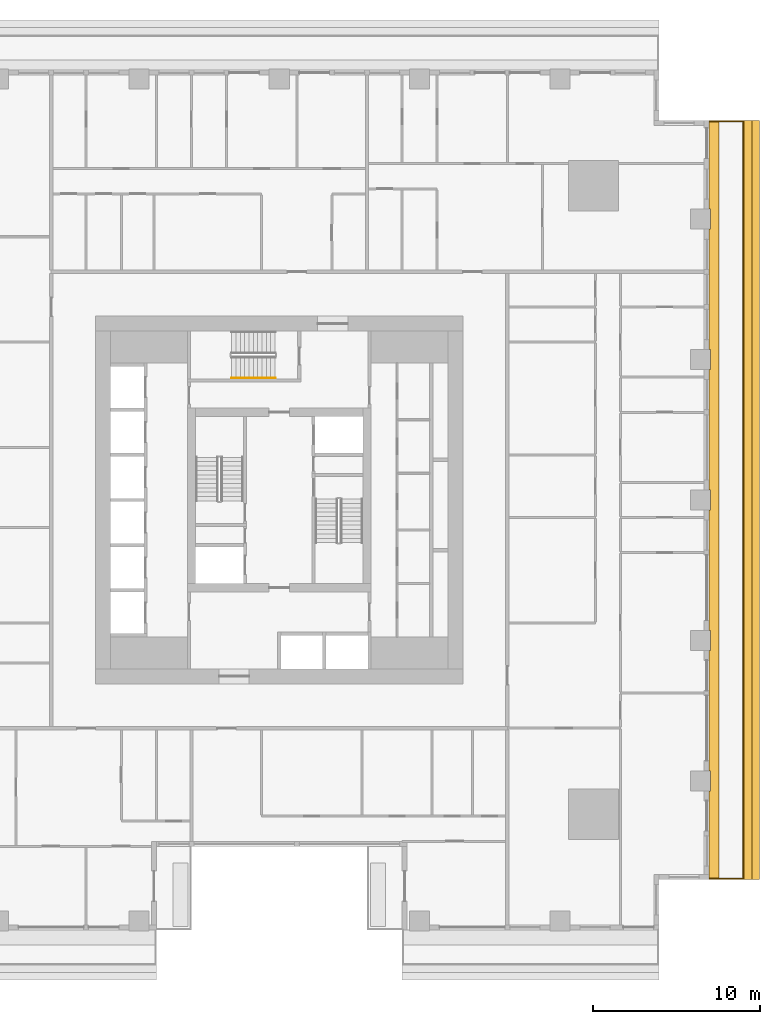
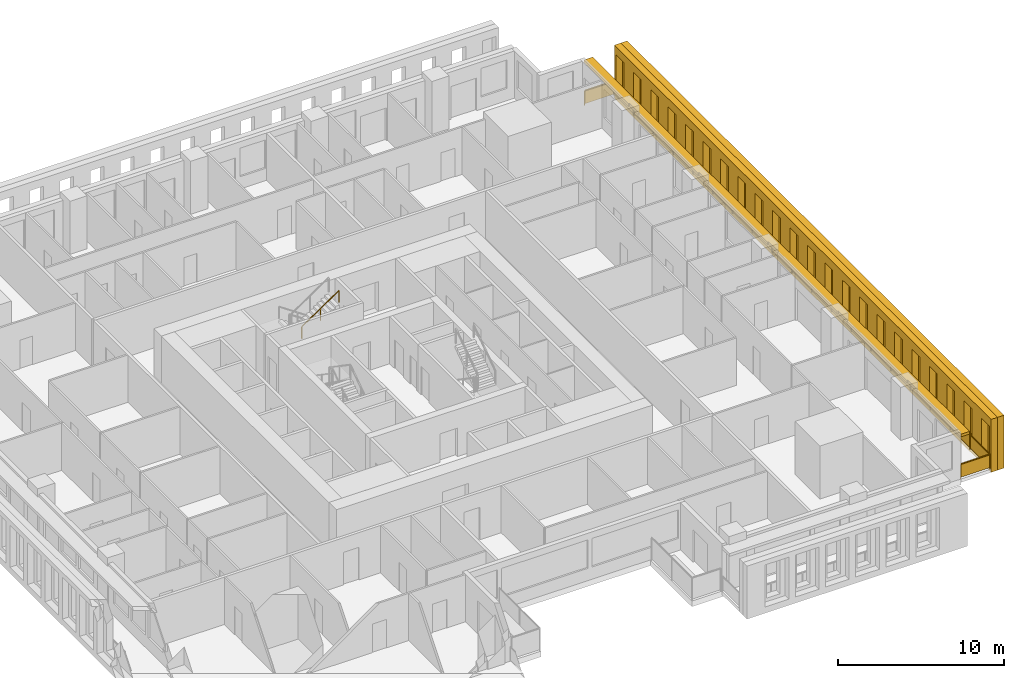
# One storey, part 13 of 15: 3 shading devices, 2 railings.
"""IFC4 building model written with IfcOpenShell, lengths in metres."""

from ifc_helpers import new_model, si_unit, direction, frame, origin, origin_2d, place, context, subcontext, project, spatial, polyline, rectangle, outline, extrude, material, layer, layer_set, type_object, element, save


model = new_model("IFC4")

# Units and contexts
model_context = context("Model", 3, precision=1e-05, world=origin(), true_north=direction((0.0, 1.0)))
body_context = subcontext(model_context, "Body", "Model", "MODEL_VIEW")
ifc_project = project(units=[si_unit("LENGTHUNIT", "METRE"), si_unit("AREAUNIT", "SQUARE_METRE"), si_unit("VOLUMEUNIT", "CUBIC_METRE"), si_unit("PLANEANGLEUNIT", "RADIAN"), si_unit("MASSUNIT", "GRAM", prefix="KILO")], contexts=[model_context])

# Site, building, storey
site_placement = place(None, origin())
site = spatial("IfcSite", under=ifc_project, at=site_placement, CompositionType="ELEMENT")
building_placement = place(site_placement, origin())
building = spatial("IfcBuilding", under=site, at=building_placement, Name="Khepri Terraces", CompositionType="ELEMENT")
storey_placement = place(building_placement, frame((0.0, 0.0, 42.60009765625)))
storey = spatial("IfcBuildingStorey", under=building, at=storey_placement, Name="L09", CompositionType="ELEMENT", Elevation=42.60009765625)

# Railings
ifc_material_1 = material(Name="Stainless steel grade 316", Category="steel")
railing_type_1 = type_object("IfcRailingType", Name="GRD-BAL-1100", PredefinedType="GUARDRAIL", material=ifc_material_1)
railing_1_placement = place(storey_placement, frame((25.719970703125, -22.669921875, 0.0)))
element("IfcRailing", 1, at=railing_1_placement, inside=storey, type_object=railing_type_1, Name="Balcony guard L09 E", PredefinedType="GUARDRAIL", context=body_context, shape_type="SweptSolid", body=[
    extrude(rectangle(XDim=0.050048828125, YDim=0.06005859375, at=origin_2d()), frame((0.0, 0.0, 1.070068359375), z_axis=(1.0, 0.0, 0.0), x_axis=(0.0, 1.0, 0.0)), (0.0, 0.0, 1.0), 2.050048828125),
    extrude(rectangle(XDim=2.0, YDim=0.011962890625, at=origin_2d()), frame((1.02490234375, 0.0, 0.10009765625), z_axis=(0.0, 0.0, 1.0), x_axis=(1.0, 0.0, 0.0)), (0.0, 0.0, 1.0), 0.93994140625),
    extrude(rectangle(XDim=0.050048828125, YDim=0.06005859375, at=origin_2d()), frame((2.050048828125, 0.0, 1.070068359375), z_axis=(0.0, 1.0, 0.0), x_axis=(-1.0, 0.0, 0.0)), (0.0, 0.0, 1.0), 45.33984375),
    extrude(rectangle(XDim=2.336181640625, YDim=0.011962890625, at=origin_2d()), frame((2.050048828125, 1.193115234375, 0.10009765625), z_axis=(0.0, 0.0, 1.0), x_axis=(0.0, 1.0, 0.0)), (0.0, 0.0, 1.0), 0.93994140625),
    extrude(rectangle(XDim=2.336181640625, YDim=0.011962890625, at=origin_2d()), frame((2.050048828125, 3.579345703125, 0.10009765625), z_axis=(0.0, 0.0, 1.0), x_axis=(0.0, 1.0, 0.0)), (0.0, 0.0, 1.0), 0.93994140625),
    extrude(rectangle(XDim=2.336181640625, YDim=0.011962890625, at=origin_2d()), frame((2.050048828125, 5.9658203125, 0.10009765625), z_axis=(0.0, 0.0, 1.0), x_axis=(0.0, 1.0, 0.0)), (0.0, 0.0, 1.0), 0.93994140625),
    extrude(rectangle(XDim=2.336181640625, YDim=0.011962890625, at=origin_2d()), frame((2.050048828125, 8.35205078125, 0.10009765625), z_axis=(0.0, 0.0, 1.0), x_axis=(0.0, 1.0, 0.0)), (0.0, 0.0, 1.0), 0.93994140625),
    extrude(rectangle(XDim=2.336181640625, YDim=0.011962890625, at=origin_2d()), frame((2.050048828125, 10.73828125, 0.10009765625), z_axis=(0.0, 0.0, 1.0), x_axis=(0.0, 1.0, 0.0)), (0.0, 0.0, 1.0), 0.93994140625),
    extrude(rectangle(XDim=2.336181640625, YDim=0.011962890625, at=origin_2d()), frame((2.050048828125, 13.124755859375, 0.10009765625), z_axis=(0.0, 0.0, 1.0), x_axis=(0.0, 1.0, 0.0)), (0.0, 0.0, 1.0), 0.93994140625),
    extrude(rectangle(XDim=2.336181640625, YDim=0.011962890625, at=origin_2d()), frame((2.050048828125, 15.510986328125, 0.10009765625), z_axis=(0.0, 0.0, 1.0), x_axis=(0.0, 1.0, 0.0)), (0.0, 0.0, 1.0), 0.93994140625),
    extrude(rectangle(XDim=2.336181640625, YDim=0.011962890625, at=origin_2d()), frame((2.050048828125, 17.897216796875, 0.10009765625), z_axis=(0.0, 0.0, 1.0), x_axis=(0.0, 1.0, 0.0)), (0.0, 0.0, 1.0), 0.93994140625),
    extrude(rectangle(XDim=2.336181640625, YDim=0.011962890625, at=origin_2d()), frame((2.050048828125, 20.28369140625, 0.10009765625), z_axis=(0.0, 0.0, 1.0), x_axis=(0.0, 1.0, 0.0)), (0.0, 0.0, 1.0), 0.93994140625),
    extrude(rectangle(XDim=2.336181640625, YDim=0.011962890625, at=origin_2d()), frame((2.050048828125, 22.669921875, 0.10009765625), z_axis=(0.0, 0.0, 1.0), x_axis=(0.0, 1.0, 0.0)), (0.0, 0.0, 1.0), 0.93994140625),
    extrude(rectangle(XDim=2.336181640625, YDim=0.011962890625, at=origin_2d()), frame((2.050048828125, 25.05615234375, 0.10009765625), z_axis=(0.0, 0.0, 1.0), x_axis=(0.0, 1.0, 0.0)), (0.0, 0.0, 1.0), 0.93994140625),
    extrude(rectangle(XDim=2.336181640625, YDim=0.011962890625, at=origin_2d()), frame((2.050048828125, 27.442626953125, 0.10009765625), z_axis=(0.0, 0.0, 1.0), x_axis=(0.0, 1.0, 0.0)), (0.0, 0.0, 1.0), 0.93994140625),
    extrude(rectangle(XDim=2.336181640625, YDim=0.011962890625, at=origin_2d()), frame((2.050048828125, 29.828857421875, 0.10009765625), z_axis=(0.0, 0.0, 1.0), x_axis=(0.0, 1.0, 0.0)), (0.0, 0.0, 1.0), 0.93994140625),
    extrude(rectangle(XDim=2.336181640625, YDim=0.011962890625, at=origin_2d()), frame((2.050048828125, 32.215087890625, 0.10009765625), z_axis=(0.0, 0.0, 1.0), x_axis=(0.0, 1.0, 0.0)), (0.0, 0.0, 1.0), 0.93994140625),
    extrude(rectangle(XDim=2.336181640625, YDim=0.011962890625, at=origin_2d()), frame((2.050048828125, 34.6015625, 0.10009765625), z_axis=(0.0, 0.0, 1.0), x_axis=(0.0, 1.0, 0.0)), (0.0, 0.0, 1.0), 0.93994140625),
    extrude(rectangle(XDim=2.336181640625, YDim=0.011962890625, at=origin_2d()), frame((2.050048828125, 36.98779296875, 0.10009765625), z_axis=(0.0, 0.0, 1.0), x_axis=(0.0, 1.0, 0.0)), (0.0, 0.0, 1.0), 0.93994140625),
    extrude(rectangle(XDim=2.336181640625, YDim=0.011962890625, at=origin_2d()), frame((2.050048828125, 39.3740234375, 0.10009765625), z_axis=(0.0, 0.0, 1.0), x_axis=(0.0, 1.0, 0.0)), (0.0, 0.0, 1.0), 0.93994140625),
    extrude(rectangle(XDim=2.336181640625, YDim=0.011962890625, at=origin_2d()), frame((2.050048828125, 41.760498046875, 0.10009765625), z_axis=(0.0, 0.0, 1.0), x_axis=(0.0, 1.0, 0.0)), (0.0, 0.0, 1.0), 0.93994140625),
    extrude(rectangle(XDim=2.336181640625, YDim=0.011962890625, at=origin_2d()), frame((2.050048828125, 44.146728515625, 0.10009765625), z_axis=(0.0, 0.0, 1.0), x_axis=(0.0, 1.0, 0.0)), (0.0, 0.0, 1.0), 0.93994140625),
    extrude(rectangle(XDim=0.050048828125, YDim=0.06005859375, at=origin_2d()), frame((2.050048828125, 45.33984375, 1.070068359375), z_axis=(-1.0, 0.0, 0.0), x_axis=(0.0, -1.0, 0.0)), (0.0, 0.0, 1.0), 2.050048828125),
    extrude(rectangle(XDim=2.0, YDim=0.011962890625, at=origin_2d()), frame((1.02490234375, 45.33984375, 0.10009765625), z_axis=(0.0, 0.0, 1.0), x_axis=(-1.0, 0.0, 0.0)), (0.0, 0.0, 1.0), 0.93994140625),
    extrude(rectangle(XDim=0.050048828125, YDim=0.050048828125, at=origin_2d()), origin(), (0.0, 0.0, 1.0), 1.0400390625),
    extrude(rectangle(XDim=0.050048828125, YDim=0.050048828125, at=origin_2d()), frame((2.050048828125, 0.0, 0.0)), (0.0, 0.0, 1.0), 1.0400390625),
    extrude(rectangle(XDim=0.050048828125, YDim=0.050048828125, at=origin_2d()), frame((2.050048828125, 2.38623046875, 0.0)), (0.0, 0.0, 1.0), 1.0400390625),
    extrude(rectangle(XDim=0.050048828125, YDim=0.050048828125, at=origin_2d()), frame((2.050048828125, 4.772705078125, 0.0)), (0.0, 0.0, 1.0), 1.0400390625),
    extrude(rectangle(XDim=0.050048828125, YDim=0.050048828125, at=origin_2d()), frame((2.050048828125, 7.158935546875, 0.0)), (0.0, 0.0, 1.0), 1.0400390625),
    extrude(rectangle(XDim=0.050048828125, YDim=0.050048828125, at=origin_2d()), frame((2.050048828125, 9.545166015625, 0.0)), (0.0, 0.0, 1.0), 1.0400390625),
    extrude(rectangle(XDim=0.050048828125, YDim=0.050048828125, at=origin_2d()), frame((2.050048828125, 11.931640625, 0.0)), (0.0, 0.0, 1.0), 1.0400390625),
    extrude(rectangle(XDim=0.050048828125, YDim=0.050048828125, at=origin_2d()), frame((2.050048828125, 14.31787109375, 0.0)), (0.0, 0.0, 1.0), 1.0400390625),
    extrude(rectangle(XDim=0.050048828125, YDim=0.050048828125, at=origin_2d()), frame((2.050048828125, 16.7041015625, 0.0)), (0.0, 0.0, 1.0), 1.0400390625),
    extrude(rectangle(XDim=0.050048828125, YDim=0.050048828125, at=origin_2d()), frame((2.050048828125, 19.090576171875, 0.0)), (0.0, 0.0, 1.0), 1.0400390625),
    extrude(rectangle(XDim=0.050048828125, YDim=0.050048828125, at=origin_2d()), frame((2.050048828125, 21.476806640625, 0.0)), (0.0, 0.0, 1.0), 1.0400390625),
    extrude(rectangle(XDim=0.050048828125, YDim=0.050048828125, at=origin_2d()), frame((2.050048828125, 23.863037109375, 0.0)), (0.0, 0.0, 1.0), 1.0400390625),
    extrude(rectangle(XDim=0.050048828125, YDim=0.050048828125, at=origin_2d()), frame((2.050048828125, 26.249267578125, 0.0)), (0.0, 0.0, 1.0), 1.0400390625),
    extrude(rectangle(XDim=0.050048828125, YDim=0.050048828125, at=origin_2d()), frame((2.050048828125, 28.6357421875, 0.0)), (0.0, 0.0, 1.0), 1.0400390625),
    extrude(rectangle(XDim=0.050048828125, YDim=0.050048828125, at=origin_2d()), frame((2.050048828125, 31.02197265625, 0.0)), (0.0, 0.0, 1.0), 1.0400390625),
    extrude(rectangle(XDim=0.050048828125, YDim=0.050048828125, at=origin_2d()), frame((2.050048828125, 33.408203125, 0.0)), (0.0, 0.0, 1.0), 1.0400390625),
    extrude(rectangle(XDim=0.050048828125, YDim=0.050048828125, at=origin_2d()), frame((2.050048828125, 35.794677734375, 0.0)), (0.0, 0.0, 1.0), 1.0400390625),
    extrude(rectangle(XDim=0.050048828125, YDim=0.050048828125, at=origin_2d()), frame((2.050048828125, 38.180908203125, 0.0)), (0.0, 0.0, 1.0), 1.0400390625),
    extrude(rectangle(XDim=0.050048828125, YDim=0.050048828125, at=origin_2d()), frame((2.050048828125, 40.567138671875, 0.0)), (0.0, 0.0, 1.0), 1.0400390625),
    extrude(rectangle(XDim=0.050048828125, YDim=0.050048828125, at=origin_2d()), frame((2.050048828125, 42.95361328125, 0.0)), (0.0, 0.0, 1.0), 1.0400390625),
    extrude(rectangle(XDim=0.050048828125, YDim=0.050048828125, at=origin_2d()), frame((2.050048828125, 45.33984375, 0.0)), (0.0, 0.0, 1.0), 1.0400390625),
    extrude(rectangle(XDim=0.050048828125, YDim=0.050048828125, at=origin_2d()), frame((0.0, 45.33984375, 0.0)), (0.0, 0.0, 1.0), 1.0400390625),
])
ifc_material_2 = material(Name="Stainless steel 316", Category="steel")
railing_type_2 = type_object("IfcRailingType", Name="RL-CORE-HANDRAIL", PredefinedType="HANDRAIL", material=ifc_material_2)
railing_2_placement = place(storey_placement, frame((-2.85009765625, 7.300048828125, 2.127197265625)))
element("IfcRailing", 2, at=railing_2_placement, inside=storey, type_object=railing_type_2, Name="L09 ST-3 stair handrail 2", PredefinedType="HANDRAIL", context=body_context, shape_type="SweptSolid", body=[
    extrude(rectangle(XDim=0.050048828125, YDim=0.050048828125, at=origin_2d()), frame((0.0, 0.0, 0.875), z_axis=(0.826240473404, 0.0, 0.563317565952), x_axis=(0.0, 1.0, 0.0)), (0.0, 0.0, 1.0), 3.14697265625),
    extrude(rectangle(XDim=0.050048828125, YDim=0.050048828125, at=origin_2d()), origin(), (0.0, 0.0, 1.0), 0.849853515625),
    extrude(rectangle(XDim=0.050048828125, YDim=0.050048828125, at=origin_2d()), frame((1.300048828125, 0.0, 0.88623046875)), (0.0, 0.0, 1.0), 0.849853515625),
    extrude(rectangle(XDim=0.050048828125, YDim=0.050048828125, at=origin_2d()), frame((2.60009765625, 0.0, 1.772705078125)), (0.0, 0.0, 1.0), 0.849853515625),
])

# Shading devices
ifc_material_3 = material(Name="Precast concrete C50/60 warm stone", Category="masonry")
shading_device_type_1 = type_object("IfcShadingDeviceType", Name="SCR-CELL-INNER-450", PredefinedType="USERDEFINED", material=ifc_material_3)
shading_device_1_placement = place(storey_placement, frame((27.820068359375, -22.719970703125, -0.25), z_axis=(1.0, 0.0, 0.0), x_axis=(0.0, 1.0, 0.0)))
element("IfcShadingDevice", 3, at=shading_device_1_placement, inside=storey, type_object=shading_device_type_1, Name="Cell screen L09 E in", ObjectType="SCREEN", PredefinedType="USERDEFINED", context=body_context, shape_type="SweptSolid", body=[
    extrude(outline(polyline([(0.0, 0.0), (45.43994140625, 0.0), (45.43994140625, 3.89990234375), (0.0, 3.89990234375), (0.0, 0.0)]), holes=[polyline([(0.197509765625, 0.699951171875), (1.142578125, 0.699951171875), (1.142578125, 3.300048828125), (0.197509765625, 3.300048828125), (0.197509765625, 0.699951171875)]), polyline([(2.297607421875, 0.699951171875), (3.242431640625, 0.699951171875), (3.242431640625, 3.300048828125), (2.297607421875, 3.300048828125), (2.297607421875, 0.699951171875)]), polyline([(4.3974609375, 0.699951171875), (5.342529296875, 0.699951171875), (5.342529296875, 3.300048828125), (4.3974609375, 3.300048828125), (4.3974609375, 0.699951171875)]), polyline([(6.49755859375, 0.699951171875), (7.4423828125, 0.699951171875), (7.4423828125, 3.300048828125), (6.49755859375, 3.300048828125), (6.49755859375, 0.699951171875)]), polyline([(8.597412109375, 0.699951171875), (9.54248046875, 0.699951171875), (9.54248046875, 3.300048828125), (8.597412109375, 3.300048828125), (8.597412109375, 0.699951171875)]), polyline([(10.697509765625, 0.699951171875), (11.642578125, 0.699951171875), (11.642578125, 3.300048828125), (10.697509765625, 3.300048828125), (10.697509765625, 0.699951171875)]), polyline([(12.797607421875, 0.699951171875), (13.742431640625, 0.699951171875), (13.742431640625, 3.300048828125), (12.797607421875, 3.300048828125), (12.797607421875, 0.699951171875)]), polyline([(14.8974609375, 0.699951171875), (15.842529296875, 0.699951171875), (15.842529296875, 3.300048828125), (14.8974609375, 3.300048828125), (14.8974609375, 0.699951171875)]), polyline([(16.99755859375, 0.699951171875), (17.9423828125, 0.699951171875), (17.9423828125, 3.300048828125), (16.99755859375, 3.300048828125), (16.99755859375, 0.699951171875)]), polyline([(19.097412109375, 0.699951171875), (20.04248046875, 0.699951171875), (20.04248046875, 3.300048828125), (19.097412109375, 3.300048828125), (19.097412109375, 0.699951171875)]), polyline([(21.197509765625, 0.699951171875), (22.142578125, 0.699951171875), (22.142578125, 3.300048828125), (21.197509765625, 3.300048828125), (21.197509765625, 0.699951171875)]), polyline([(23.297607421875, 0.699951171875), (24.242431640625, 0.699951171875), (24.242431640625, 3.300048828125), (23.297607421875, 3.300048828125), (23.297607421875, 0.699951171875)]), polyline([(25.3974609375, 0.699951171875), (26.342529296875, 0.699951171875), (26.342529296875, 3.300048828125), (25.3974609375, 3.300048828125), (25.3974609375, 0.699951171875)]), polyline([(27.49755859375, 0.699951171875), (28.4423828125, 0.699951171875), (28.4423828125, 3.300048828125), (27.49755859375, 3.300048828125), (27.49755859375, 0.699951171875)]), polyline([(29.597412109375, 0.699951171875), (30.54248046875, 0.699951171875), (30.54248046875, 3.300048828125), (29.597412109375, 3.300048828125), (29.597412109375, 0.699951171875)]), polyline([(31.697509765625, 0.699951171875), (32.642578125, 0.699951171875), (32.642578125, 3.300048828125), (31.697509765625, 3.300048828125), (31.697509765625, 0.699951171875)]), polyline([(33.797607421875, 0.699951171875), (34.742431640625, 0.699951171875), (34.742431640625, 3.300048828125), (33.797607421875, 3.300048828125), (33.797607421875, 0.699951171875)]), polyline([(35.8974609375, 0.699951171875), (36.842529296875, 0.699951171875), (36.842529296875, 3.300048828125), (35.8974609375, 3.300048828125), (35.8974609375, 0.699951171875)]), polyline([(37.99755859375, 0.699951171875), (38.9423828125, 0.699951171875), (38.9423828125, 3.300048828125), (37.99755859375, 3.300048828125), (37.99755859375, 0.699951171875)]), polyline([(40.097412109375, 0.699951171875), (41.04248046875, 0.699951171875), (41.04248046875, 3.300048828125), (40.097412109375, 3.300048828125), (40.097412109375, 0.699951171875)]), polyline([(42.197509765625, 0.699951171875), (43.142578125, 0.699951171875), (43.142578125, 3.300048828125), (42.197509765625, 3.300048828125), (42.197509765625, 0.699951171875)]), polyline([(44.297607421875, 0.699951171875), (45.242431640625, 0.699951171875), (45.242431640625, 3.300048828125), (44.297607421875, 3.300048828125), (44.297607421875, 0.699951171875)])]), origin(), (0.0, 0.0, 1.0), 0.449951171875),
])
shading_device_type_2 = type_object("IfcShadingDeviceType", Name="SCR-CELL-OUTER-450", PredefinedType="USERDEFINED", material=ifc_material_3)
shading_device_2_placement = place(storey_placement, frame((28.27001953125, -22.719970703125, -0.25), z_axis=(1.0, 0.0, 0.0), x_axis=(0.0, 1.0, 0.0)))
element("IfcShadingDevice", 4, at=shading_device_2_placement, inside=storey, type_object=shading_device_type_2, Name="Cell screen L09 E out", ObjectType="SCREEN", PredefinedType="USERDEFINED", context=body_context, shape_type="SweptSolid", body=[
    extrude(outline(polyline([(0.0, 0.0), (45.43994140625, 0.0), (45.43994140625, 3.89990234375), (0.0, 3.89990234375), (0.0, 0.0)]), holes=[polyline([(1.947509765625, 0.449951171875), (3.592529296875, 0.449951171875), (3.592529296875, 3.550048828125), (1.947509765625, 3.550048828125), (1.947509765625, 0.449951171875)]), polyline([(4.047607421875, 0.449951171875), (5.6923828125, 0.449951171875), (5.6923828125, 3.550048828125), (4.047607421875, 3.550048828125), (4.047607421875, 0.449951171875)]), polyline([(6.1474609375, 0.449951171875), (7.79248046875, 0.449951171875), (7.79248046875, 3.550048828125), (6.1474609375, 3.550048828125), (6.1474609375, 0.449951171875)]), polyline([(8.24755859375, 0.449951171875), (9.892578125, 0.449951171875), (9.892578125, 3.550048828125), (8.24755859375, 3.550048828125), (8.24755859375, 0.449951171875)]), polyline([(10.347412109375, 0.449951171875), (11.992431640625, 0.449951171875), (11.992431640625, 3.550048828125), (10.347412109375, 3.550048828125), (10.347412109375, 0.449951171875)]), polyline([(12.447509765625, 0.449951171875), (14.092529296875, 0.449951171875), (14.092529296875, 3.550048828125), (12.447509765625, 3.550048828125), (12.447509765625, 0.449951171875)]), polyline([(14.547607421875, 0.449951171875), (16.1923828125, 0.449951171875), (16.1923828125, 3.550048828125), (14.547607421875, 3.550048828125), (14.547607421875, 0.449951171875)]), polyline([(16.6474609375, 0.449951171875), (18.29248046875, 0.449951171875), (18.29248046875, 3.550048828125), (16.6474609375, 3.550048828125), (16.6474609375, 0.449951171875)]), polyline([(18.74755859375, 0.449951171875), (20.392578125, 0.449951171875), (20.392578125, 3.550048828125), (18.74755859375, 3.550048828125), (18.74755859375, 0.449951171875)]), polyline([(20.847412109375, 0.449951171875), (22.492431640625, 0.449951171875), (22.492431640625, 3.550048828125), (20.847412109375, 3.550048828125), (20.847412109375, 0.449951171875)]), polyline([(22.947509765625, 0.449951171875), (24.592529296875, 0.449951171875), (24.592529296875, 3.550048828125), (22.947509765625, 3.550048828125), (22.947509765625, 0.449951171875)]), polyline([(25.047607421875, 0.449951171875), (26.6923828125, 0.449951171875), (26.6923828125, 3.550048828125), (25.047607421875, 3.550048828125), (25.047607421875, 0.449951171875)]), polyline([(27.1474609375, 0.449951171875), (28.79248046875, 0.449951171875), (28.79248046875, 3.550048828125), (27.1474609375, 3.550048828125), (27.1474609375, 0.449951171875)]), polyline([(29.24755859375, 0.449951171875), (30.892578125, 0.449951171875), (30.892578125, 3.550048828125), (29.24755859375, 3.550048828125), (29.24755859375, 0.449951171875)]), polyline([(31.347412109375, 0.449951171875), (32.992431640625, 0.449951171875), (32.992431640625, 3.550048828125), (31.347412109375, 3.550048828125), (31.347412109375, 0.449951171875)]), polyline([(33.447509765625, 0.449951171875), (35.092529296875, 0.449951171875), (35.092529296875, 3.550048828125), (33.447509765625, 3.550048828125), (33.447509765625, 0.449951171875)]), polyline([(35.547607421875, 0.449951171875), (37.1923828125, 0.449951171875), (37.1923828125, 3.550048828125), (35.547607421875, 3.550048828125), (35.547607421875, 0.449951171875)]), polyline([(37.6474609375, 0.449951171875), (39.29248046875, 0.449951171875), (39.29248046875, 3.550048828125), (37.6474609375, 3.550048828125), (37.6474609375, 0.449951171875)]), polyline([(39.74755859375, 0.449951171875), (41.392578125, 0.449951171875), (41.392578125, 3.550048828125), (39.74755859375, 3.550048828125), (39.74755859375, 0.449951171875)]), polyline([(41.847412109375, 0.449951171875), (43.492431640625, 0.449951171875), (43.492431640625, 3.550048828125), (41.847412109375, 3.550048828125), (41.847412109375, 0.449951171875)])]), origin(), (0.0, 0.0, 1.0), 0.449951171875),
])
ifc_layer = layer(ifc_material_3, 0.199951171875, Name="Precast concrete C50/60 warm stone", Category="masonry")
ifc_layer_set = layer_set([ifc_layer], Name="Precast concrete C50/60 warm stone")
shading_device_type_3 = type_object("IfcShadingDeviceType", Name="SSH-BAND-STONE-200-N", PredefinedType="USERDEFINED", material=ifc_layer_set)
shading_device_3_placement = place(storey_placement, frame((0.0, 0.0, 3.099853515625)))
element("IfcShadingDevice", 5, at=shading_device_3_placement, inside=storey, type_object=shading_device_type_3, Name="Sunshade band L09 E", ObjectType="SUNSHADE", PredefinedType="USERDEFINED", context=body_context, shape_type="SweptSolid", body=[
    extrude(outline(polyline([(25.719970703125, -17.39990234375), (25.719970703125, -22.719970703125), (26.320068359375, -22.719970703125), (26.320068359375, 22.719970703125), (25.719970703125, 22.719970703125), (25.719970703125, 17.39990234375), (25.800048828125, 17.39990234375), (25.800048828125, 16.199951171875), (25.719970703125, 16.199951171875), (25.719970703125, 9.0), (25.800048828125, 9.0), (25.800048828125, 7.800048828125), (25.719970703125, 7.800048828125), (25.719970703125, 0.60009765625), (25.800048828125, 0.60009765625), (25.800048828125, -0.60009765625), (25.719970703125, -0.60009765625), (25.719970703125, -7.800048828125), (25.800048828125, -7.800048828125), (25.800048828125, -9.0), (25.719970703125, -9.0), (25.719970703125, -16.199951171875), (25.800048828125, -16.199951171875), (25.800048828125, -17.39990234375), (25.719970703125, -17.39990234375)])), origin(), (0.0, 0.0, 1.0), 0.199951171875),
])

save(model, "model.ifc")
